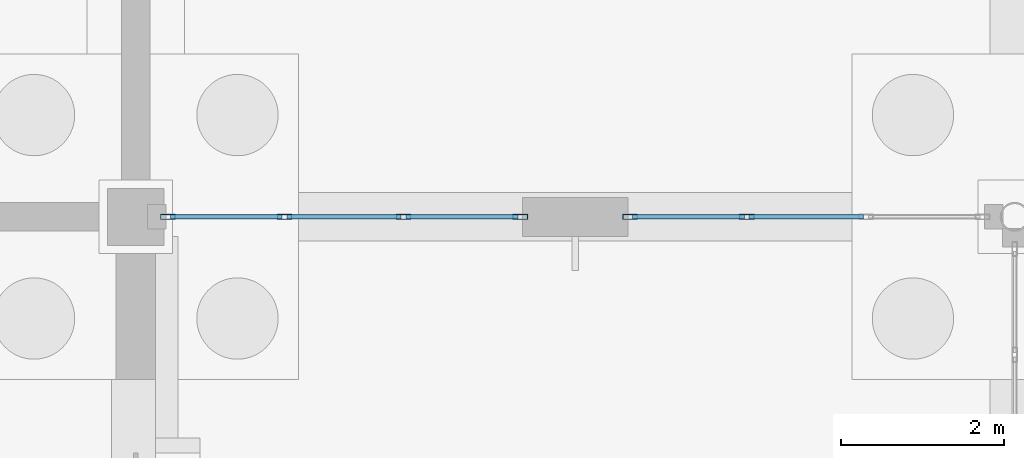
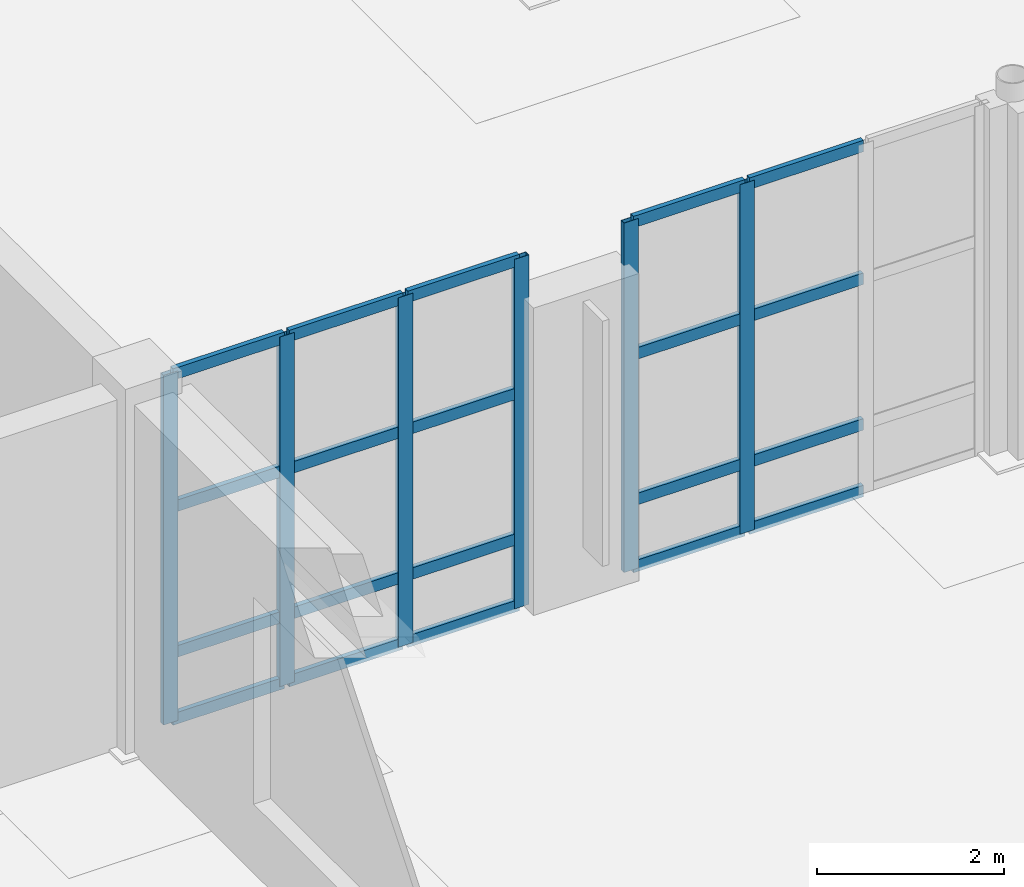
# One storey, part 26 of 73: 26 members, 2 elements without a shape of their own.
"""IFC4 building model written with IfcOpenShell, lengths in metres."""

from ifc_helpers import new_model, si_unit, direction, frame, origin, origin_2d, place, context, subcontext, project, spatial, hollow_rectangle, extrude, material, layer, layer_set, material_profile, profile_set, type_object, element, aggregate, save


model = new_model("IFC4")

# Units and contexts
model_context = context("Model", 3, precision=1e-05, world=origin(), true_north=direction((0.0, 1.0)))
body_context = subcontext(model_context, "Body", "Model", "MODEL_VIEW")
ifc_project = project(units=[si_unit("LENGTHUNIT", "METRE"), si_unit("AREAUNIT", "SQUARE_METRE"), si_unit("VOLUMEUNIT", "CUBIC_METRE"), si_unit("PLANEANGLEUNIT", "RADIAN"), si_unit("MASSUNIT", "GRAM", prefix="KILO")], contexts=[model_context])

# Site, building, storey
site_placement = place(None, origin())
site = spatial("IfcSite", under=ifc_project, at=site_placement, CompositionType="ELEMENT")
building_placement = place(site_placement, origin())
building = spatial("IfcBuilding", under=site, at=building_placement, Name="Tasgan Crest Museum", CompositionType="ELEMENT")
storey_placement = place(building_placement, origin())
storey = spatial("IfcBuildingStorey", under=building, at=storey_placement, Name="L00", CompositionType="ELEMENT", Elevation=0.0)

# Curtain wall, members
ifc_material_1 = material(Name="Triple-Glazed Aluminium Curtain Wall", Category="aluminium")
ifc_layer = layer(ifc_material_1, 0.179931640625, Name="CW-DRUM-X-48")
ifc_layer_set = layer_set([ifc_layer], Name="Triple-Glazed Aluminium Curtain Wall")
curtain_wall_type = type_object("IfcCurtainWallType", Name="CW-DRUM-X-48", PredefinedType="NOTDEFINED", material=ifc_layer_set)
curtain_wall_1_placement = place(storey_placement, origin())
curtain_wall_1 = element("IfcCurtainWall", 1, at=curtain_wall_1_placement, inside=storey, type_object=curtain_wall_type, Name="Curtain wall L00 001", PredefinedType="NOTDEFINED")
ifc_material_2 = material(Name="Anodised Aluminium", Category="aluminium")
ifc_material_profile_1 = material_profile(ifc_material_2, hollow_rectangle(XDim=0.06494140625, YDim=0.179931640625, WallThickness=0.0048828125, at=origin_2d()), Name="ALU MULLION 180x65x5")
ifc_profile_set_1 = profile_set([ifc_material_profile_1], Name="Anodised Aluminium")
member_type_1 = type_object("IfcMemberType", Name="CW-MULLION-180", PredefinedType="MULLION", material=ifc_profile_set_1)
member_1_placement = place(storey_placement, frame((54.39501953125, 40.0, 0.0), z_axis=(0.0, 0.0, 1.0), x_axis=(0.0, 1.0, 0.0)))
member_1 = element("IfcMember", 2, at=member_1_placement, type_object=member_type_1, Name="CW03 mullion 1", PredefinedType="MULLION", context=body_context, shape_type="SweptSolid", body=[
    extrude(hollow_rectangle(XDim=0.06494140625, YDim=0.179931640625, WallThickness=0.0048828125, at=origin_2d()), origin(), (0.0, 0.0, 1.0), 4.56005859375),
])
member_2_placement = place(storey_placement, frame((55.828369140625, 40.0, 0.0), z_axis=(0.0, 0.0, 1.0), x_axis=(0.0, 1.0, 0.0)))
member_2 = element("IfcMember", 3, at=member_2_placement, type_object=member_type_1, Name="CW03 mullion 2", PredefinedType="MULLION", context=body_context, shape_type="SweptSolid", body=[
    extrude(hollow_rectangle(XDim=0.06494140625, YDim=0.179931640625, WallThickness=0.0048828125, at=origin_2d()), origin(), (0.0, 0.0, 1.0), 4.56005859375),
])
member_3_placement = place(storey_placement, frame((57.291748046875, 40.0, 0.0), z_axis=(0.0, 0.0, 1.0), x_axis=(0.0, 1.0, 0.0)))
member_3 = element("IfcMember", 4, at=member_3_placement, type_object=member_type_1, Name="CW03 mullion 3", PredefinedType="MULLION", context=body_context, shape_type="SweptSolid", body=[
    extrude(hollow_rectangle(XDim=0.06494140625, YDim=0.179931640625, WallThickness=0.0048828125, at=origin_2d()), origin(), (0.0, 0.0, 1.0), 4.56005859375),
])
member_4_placement = place(storey_placement, frame((58.72509765625, 40.0, 0.0), z_axis=(0.0, 0.0, 1.0), x_axis=(0.0, 1.0, 0.0)))
member_4 = element("IfcMember", 5, at=member_4_placement, type_object=member_type_1, Name="CW03 mullion 4", PredefinedType="MULLION", context=body_context, shape_type="SweptSolid", body=[
    extrude(hollow_rectangle(XDim=0.06494140625, YDim=0.179931640625, WallThickness=0.0048828125, at=origin_2d()), origin(), (0.0, 0.0, 1.0), 4.56005859375),
])

curtain_wall_2_placement = place(storey_placement, origin())
curtain_wall_2 = element("IfcCurtainWall", 6, at=curtain_wall_2_placement, inside=storey, type_object=curtain_wall_type, Name="Curtain wall L00 002", PredefinedType="NOTDEFINED")
member_5_placement = place(storey_placement, frame((60.074951171875, 40.0, 0.0), z_axis=(0.0, 0.0, 1.0), x_axis=(0.0, 1.0, 0.0)))
member_5 = element("IfcMember", 7, at=member_5_placement, type_object=member_type_1, Name="CW03 mullion 1", PredefinedType="MULLION", context=body_context, shape_type="SweptSolid", body=[
    extrude(hollow_rectangle(XDim=0.06494140625, YDim=0.179931640625, WallThickness=0.0048828125, at=origin_2d()), origin(), (0.0, 0.0, 1.0), 4.56005859375),
])
member_6_placement = place(storey_placement, frame((61.50830078125, 40.0, 0.0), z_axis=(0.0, 0.0, 1.0), x_axis=(0.0, 1.0, 0.0)))
member_6 = element("IfcMember", 8, at=member_6_placement, type_object=member_type_1, Name="CW03 mullion 2", PredefinedType="MULLION", context=body_context, shape_type="SweptSolid", body=[
    extrude(hollow_rectangle(XDim=0.06494140625, YDim=0.179931640625, WallThickness=0.0048828125, at=origin_2d()), origin(), (0.0, 0.0, 1.0), 4.56005859375),
])

# Member
ifc_material_3 = material(Name="Anodised Aluminium", Category="aluminium")
ifc_material_profile_2 = material_profile(ifc_material_3, hollow_rectangle(XDim=0.06005859375, YDim=0.14990234375, WallThickness=0.0048828125, at=origin_2d()), Name="ALU TRANSOM 150x60x5")
ifc_profile_set_2 = profile_set([ifc_material_profile_2], Name="Anodised Aluminium")
member_type_2 = type_object("IfcMemberType", Name="CW-TRANSOM-150", PredefinedType="USERDEFINED", material=ifc_profile_set_2)
member_7_placement = place(storey_placement, frame((54.425048828125, 40.0, 0.030029296875), z_axis=(1.0, 0.0, 0.0), x_axis=(0.0, 1.0, 0.0)))
member_7 = element("IfcMember", 9, at=member_7_placement, type_object=member_type_2, Name="CW03 transom 1.1", ObjectType="TRANSOM", PredefinedType="USERDEFINED", context=body_context, shape_type="SweptSolid", body=[
    extrude(hollow_rectangle(XDim=0.06005859375, YDim=0.14990234375, WallThickness=0.0048828125, at=origin_2d()), origin(), (0.0, 0.0, 1.0), 1.373291015625),
])

member_8_placement = place(storey_placement, frame((54.425048828125, 40.0, 0.89990234375), z_axis=(1.0, 0.0, 0.0), x_axis=(0.0, 1.0, 0.0)))
member_8 = element("IfcMember", 10, at=member_8_placement, type_object=member_type_2, Name="CW03 transom 1.2", ObjectType="TRANSOM", PredefinedType="USERDEFINED", context=body_context, shape_type="SweptSolid", body=[
    extrude(hollow_rectangle(XDim=0.06005859375, YDim=0.14990234375, WallThickness=0.0048828125, at=origin_2d()), origin(), (0.0, 0.0, 1.0), 1.373291015625),
])

member_9_placement = place(storey_placement, frame((54.425048828125, 40.0, 2.800048828125), z_axis=(1.0, 0.0, 0.0), x_axis=(0.0, 1.0, 0.0)))
member_9 = element("IfcMember", 11, at=member_9_placement, type_object=member_type_2, Name="CW03 transom 1.3", ObjectType="TRANSOM", PredefinedType="USERDEFINED", context=body_context, shape_type="SweptSolid", body=[
    extrude(hollow_rectangle(XDim=0.06005859375, YDim=0.14990234375, WallThickness=0.0048828125, at=origin_2d()), origin(), (0.0, 0.0, 1.0), 1.373291015625),
])

member_10_placement = place(storey_placement, frame((54.425048828125, 40.0, 4.530029296875), z_axis=(1.0, 0.0, 0.0), x_axis=(0.0, 1.0, 0.0)))
member_10 = element("IfcMember", 12, at=member_10_placement, type_object=member_type_2, Name="CW03 transom 1.4", ObjectType="TRANSOM", PredefinedType="USERDEFINED", context=body_context, shape_type="SweptSolid", body=[
    extrude(hollow_rectangle(XDim=0.06005859375, YDim=0.14990234375, WallThickness=0.0048828125, at=origin_2d()), origin(), (0.0, 0.0, 1.0), 1.373291015625),
])

member_11_placement = place(storey_placement, frame((55.8583984375, 40.0, 0.030029296875), z_axis=(1.0, 0.0, 0.0), x_axis=(0.0, 1.0, 0.0)))
member_11 = element("IfcMember", 13, at=member_11_placement, type_object=member_type_2, Name="CW03 transom 2.1", ObjectType="TRANSOM", PredefinedType="USERDEFINED", context=body_context, shape_type="SweptSolid", body=[
    extrude(hollow_rectangle(XDim=0.06005859375, YDim=0.14990234375, WallThickness=0.0048828125, at=origin_2d()), origin(), (0.0, 0.0, 1.0), 1.4033203125),
])

member_12_placement = place(storey_placement, frame((55.8583984375, 40.0, 0.89990234375), z_axis=(1.0, 0.0, 0.0), x_axis=(0.0, 1.0, 0.0)))
member_12 = element("IfcMember", 14, at=member_12_placement, type_object=member_type_2, Name="CW03 transom 2.2", ObjectType="TRANSOM", PredefinedType="USERDEFINED", context=body_context, shape_type="SweptSolid", body=[
    extrude(hollow_rectangle(XDim=0.06005859375, YDim=0.14990234375, WallThickness=0.0048828125, at=origin_2d()), origin(), (0.0, 0.0, 1.0), 1.4033203125),
])

member_13_placement = place(storey_placement, frame((55.8583984375, 40.0, 2.800048828125), z_axis=(1.0, 0.0, 0.0), x_axis=(0.0, 1.0, 0.0)))
member_13 = element("IfcMember", 15, at=member_13_placement, type_object=member_type_2, Name="CW03 transom 2.3", ObjectType="TRANSOM", PredefinedType="USERDEFINED", context=body_context, shape_type="SweptSolid", body=[
    extrude(hollow_rectangle(XDim=0.06005859375, YDim=0.14990234375, WallThickness=0.0048828125, at=origin_2d()), origin(), (0.0, 0.0, 1.0), 1.4033203125),
])

member_14_placement = place(storey_placement, frame((55.8583984375, 40.0, 4.530029296875), z_axis=(1.0, 0.0, 0.0), x_axis=(0.0, 1.0, 0.0)))
member_14 = element("IfcMember", 16, at=member_14_placement, type_object=member_type_2, Name="CW03 transom 2.4", ObjectType="TRANSOM", PredefinedType="USERDEFINED", context=body_context, shape_type="SweptSolid", body=[
    extrude(hollow_rectangle(XDim=0.06005859375, YDim=0.14990234375, WallThickness=0.0048828125, at=origin_2d()), origin(), (0.0, 0.0, 1.0), 1.4033203125),
])

member_15_placement = place(storey_placement, frame((57.32177734375, 40.0, 0.030029296875), z_axis=(1.0, 0.0, 0.0), x_axis=(0.0, 1.0, 0.0)))
member_15 = element("IfcMember", 17, at=member_15_placement, type_object=member_type_2, Name="CW03 transom 3.1", ObjectType="TRANSOM", PredefinedType="USERDEFINED", context=body_context, shape_type="SweptSolid", body=[
    extrude(hollow_rectangle(XDim=0.06005859375, YDim=0.14990234375, WallThickness=0.0048828125, at=origin_2d()), origin(), (0.0, 0.0, 1.0), 1.373291015625),
])

member_16_placement = place(storey_placement, frame((57.32177734375, 40.0, 0.89990234375), z_axis=(1.0, 0.0, 0.0), x_axis=(0.0, 1.0, 0.0)))
member_16 = element("IfcMember", 18, at=member_16_placement, type_object=member_type_2, Name="CW03 transom 3.2", ObjectType="TRANSOM", PredefinedType="USERDEFINED", context=body_context, shape_type="SweptSolid", body=[
    extrude(hollow_rectangle(XDim=0.06005859375, YDim=0.14990234375, WallThickness=0.0048828125, at=origin_2d()), origin(), (0.0, 0.0, 1.0), 1.373291015625),
])

member_17_placement = place(storey_placement, frame((57.32177734375, 40.0, 2.800048828125), z_axis=(1.0, 0.0, 0.0), x_axis=(0.0, 1.0, 0.0)))
member_17 = element("IfcMember", 19, at=member_17_placement, type_object=member_type_2, Name="CW03 transom 3.3", ObjectType="TRANSOM", PredefinedType="USERDEFINED", context=body_context, shape_type="SweptSolid", body=[
    extrude(hollow_rectangle(XDim=0.06005859375, YDim=0.14990234375, WallThickness=0.0048828125, at=origin_2d()), origin(), (0.0, 0.0, 1.0), 1.373291015625),
])

member_18_placement = place(storey_placement, frame((57.32177734375, 40.0, 4.530029296875), z_axis=(1.0, 0.0, 0.0), x_axis=(0.0, 1.0, 0.0)))
member_18 = element("IfcMember", 20, at=member_18_placement, type_object=member_type_2, Name="CW03 transom 3.4", ObjectType="TRANSOM", PredefinedType="USERDEFINED", context=body_context, shape_type="SweptSolid", body=[
    extrude(hollow_rectangle(XDim=0.06005859375, YDim=0.14990234375, WallThickness=0.0048828125, at=origin_2d()), origin(), (0.0, 0.0, 1.0), 1.373291015625),
])

aggregate(curtain_wall_1, [member_1, member_2, member_3, member_4, member_7, member_8, member_9, member_10, member_11, member_12, member_13, member_14, member_15, member_16, member_17, member_18])

member_19_placement = place(storey_placement, frame((60.10498046875, 40.0, 0.030029296875), z_axis=(1.0, 0.0, 0.0), x_axis=(0.0, 1.0, 0.0)))
member_19 = element("IfcMember", 21, at=member_19_placement, type_object=member_type_2, Name="CW03 transom 1.1", ObjectType="TRANSOM", PredefinedType="USERDEFINED", context=body_context, shape_type="SweptSolid", body=[
    extrude(hollow_rectangle(XDim=0.06005859375, YDim=0.14990234375, WallThickness=0.0048828125, at=origin_2d()), origin(), (0.0, 0.0, 1.0), 1.373291015625),
])

member_20_placement = place(storey_placement, frame((60.10498046875, 40.0, 0.89990234375), z_axis=(1.0, 0.0, 0.0), x_axis=(0.0, 1.0, 0.0)))
member_20 = element("IfcMember", 22, at=member_20_placement, type_object=member_type_2, Name="CW03 transom 1.2", ObjectType="TRANSOM", PredefinedType="USERDEFINED", context=body_context, shape_type="SweptSolid", body=[
    extrude(hollow_rectangle(XDim=0.06005859375, YDim=0.14990234375, WallThickness=0.0048828125, at=origin_2d()), origin(), (0.0, 0.0, 1.0), 1.373291015625),
])

member_21_placement = place(storey_placement, frame((60.10498046875, 40.0, 2.800048828125), z_axis=(1.0, 0.0, 0.0), x_axis=(0.0, 1.0, 0.0)))
member_21 = element("IfcMember", 23, at=member_21_placement, type_object=member_type_2, Name="CW03 transom 1.3", ObjectType="TRANSOM", PredefinedType="USERDEFINED", context=body_context, shape_type="SweptSolid", body=[
    extrude(hollow_rectangle(XDim=0.06005859375, YDim=0.14990234375, WallThickness=0.0048828125, at=origin_2d()), origin(), (0.0, 0.0, 1.0), 1.373291015625),
])

member_22_placement = place(storey_placement, frame((60.10498046875, 40.0, 4.530029296875), z_axis=(1.0, 0.0, 0.0), x_axis=(0.0, 1.0, 0.0)))
member_22 = element("IfcMember", 24, at=member_22_placement, type_object=member_type_2, Name="CW03 transom 1.4", ObjectType="TRANSOM", PredefinedType="USERDEFINED", context=body_context, shape_type="SweptSolid", body=[
    extrude(hollow_rectangle(XDim=0.06005859375, YDim=0.14990234375, WallThickness=0.0048828125, at=origin_2d()), origin(), (0.0, 0.0, 1.0), 1.373291015625),
])

member_23_placement = place(storey_placement, frame((61.538330078125, 40.0, 0.030029296875), z_axis=(1.0, 0.0, 0.0), x_axis=(0.0, 1.0, 0.0)))
member_23 = element("IfcMember", 25, at=member_23_placement, type_object=member_type_2, Name="CW03 transom 2.1", ObjectType="TRANSOM", PredefinedType="USERDEFINED", context=body_context, shape_type="SweptSolid", body=[
    extrude(hollow_rectangle(XDim=0.06005859375, YDim=0.14990234375, WallThickness=0.0048828125, at=origin_2d()), origin(), (0.0, 0.0, 1.0), 1.4033203125),
])

member_24_placement = place(storey_placement, frame((61.538330078125, 40.0, 0.89990234375), z_axis=(1.0, 0.0, 0.0), x_axis=(0.0, 1.0, 0.0)))
member_24 = element("IfcMember", 26, at=member_24_placement, type_object=member_type_2, Name="CW03 transom 2.2", ObjectType="TRANSOM", PredefinedType="USERDEFINED", context=body_context, shape_type="SweptSolid", body=[
    extrude(hollow_rectangle(XDim=0.06005859375, YDim=0.14990234375, WallThickness=0.0048828125, at=origin_2d()), origin(), (0.0, 0.0, 1.0), 1.4033203125),
])

member_25_placement = place(storey_placement, frame((61.538330078125, 40.0, 2.800048828125), z_axis=(1.0, 0.0, 0.0), x_axis=(0.0, 1.0, 0.0)))
member_25 = element("IfcMember", 27, at=member_25_placement, type_object=member_type_2, Name="CW03 transom 2.3", ObjectType="TRANSOM", PredefinedType="USERDEFINED", context=body_context, shape_type="SweptSolid", body=[
    extrude(hollow_rectangle(XDim=0.06005859375, YDim=0.14990234375, WallThickness=0.0048828125, at=origin_2d()), origin(), (0.0, 0.0, 1.0), 1.4033203125),
])

member_26_placement = place(storey_placement, frame((61.538330078125, 40.0, 4.530029296875), z_axis=(1.0, 0.0, 0.0), x_axis=(0.0, 1.0, 0.0)))
member_26 = element("IfcMember", 28, at=member_26_placement, type_object=member_type_2, Name="CW03 transom 2.4", ObjectType="TRANSOM", PredefinedType="USERDEFINED", context=body_context, shape_type="SweptSolid", body=[
    extrude(hollow_rectangle(XDim=0.06005859375, YDim=0.14990234375, WallThickness=0.0048828125, at=origin_2d()), origin(), (0.0, 0.0, 1.0), 1.4033203125),
])

aggregate(curtain_wall_2, [member_5, member_6, member_19, member_20, member_21, member_22, member_23, member_24, member_25, member_26])

save(model, "model.ifc")
